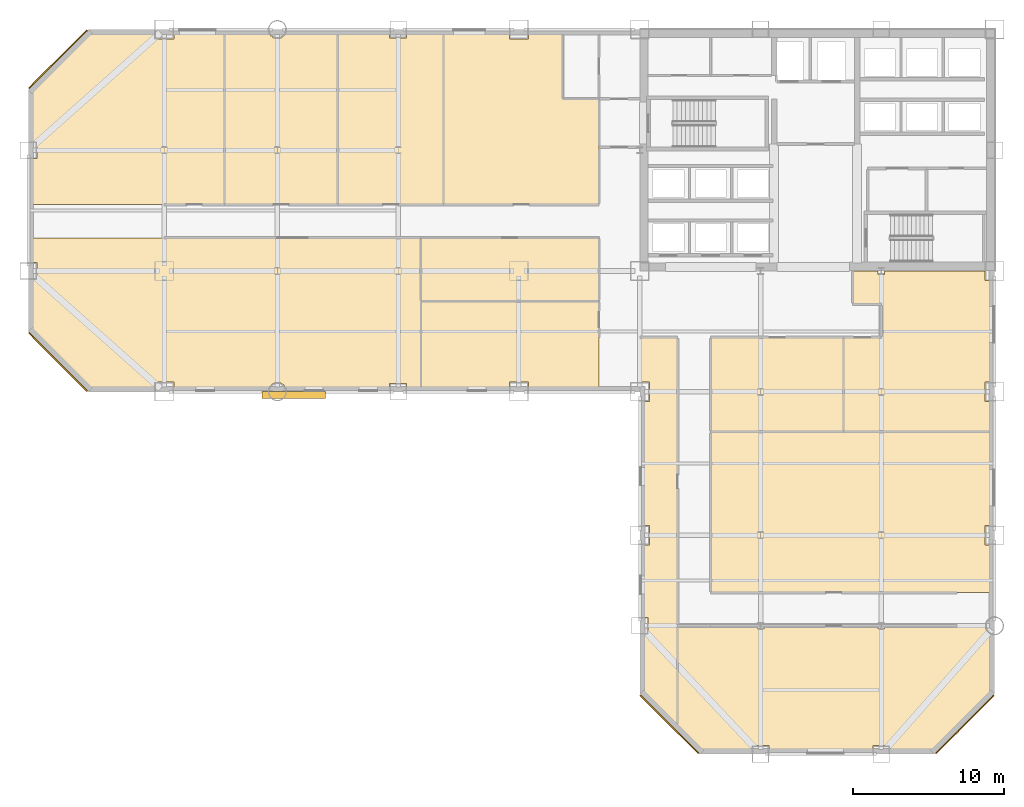
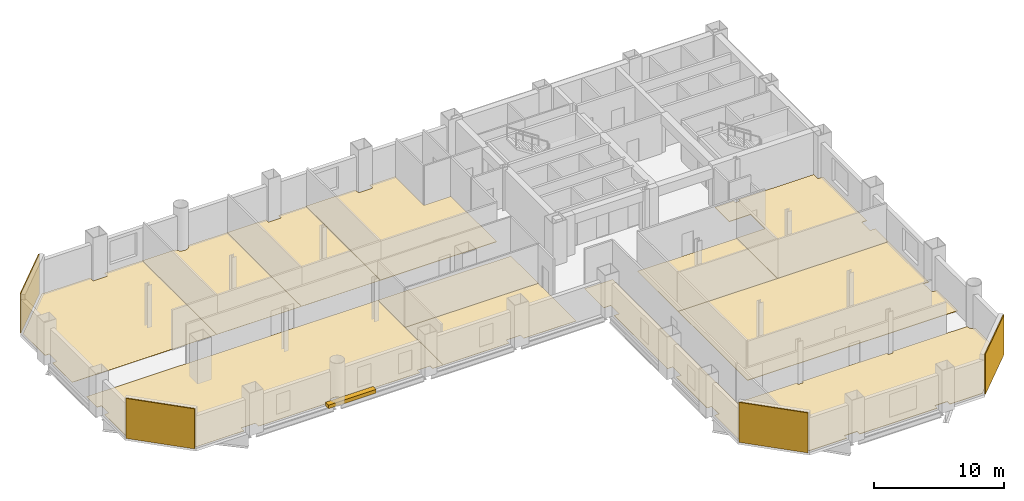
# One storey, part 8 of 9: 16 coverings, 1 shading device.
"""IFC4 building model written with IfcOpenShell, lengths in metres."""

from ifc_helpers import new_model, si_unit, direction, frame, origin, origin_2d, place, context, subcontext, project, spatial, polyline, rectangle, outline, extrude, material, layer, layer_set, type_object, element, save


model = new_model("IFC4")

# Units and contexts
model_context = context("Model", 3, precision=1e-05, world=origin(), true_north=direction((0.0, 1.0)))
body_context = subcontext(model_context, "Body", "Model", "MODEL_VIEW")
ifc_project = project(units=[si_unit("LENGTHUNIT", "METRE"), si_unit("AREAUNIT", "SQUARE_METRE"), si_unit("VOLUMEUNIT", "CUBIC_METRE"), si_unit("PLANEANGLEUNIT", "RADIAN"), si_unit("MASSUNIT", "GRAM", prefix="KILO")], contexts=[model_context])

# Site, building, storey
site_placement = place(None, origin())
site = spatial("IfcSite", under=ifc_project, at=site_placement, CompositionType="ELEMENT")
building_placement = place(site_placement, origin())
building = spatial("IfcBuilding", under=site, at=building_placement, Name="Qianrong Seaharbour Tower", CompositionType="ELEMENT")
storey_placement = place(building_placement, frame((0.0, 0.0, 84.199951171875)))
storey = spatial("IfcBuildingStorey", under=building, at=storey_placement, Name="L20", CompositionType="ELEMENT", Elevation=84.199951171875)

# Coverings
ifc_material_1 = material(Name="Unitised red brick cladding on Precast concrete C45/55", Category="masonry")
ifc_layer_1 = layer(ifc_material_1, 0.080078125)
ifc_layer_set_1 = layer_set([ifc_layer_1], Name="Unitised red brick cladding on Precast concrete C45/55")
covering_type_1 = type_object("IfcCoveringType", Name="COV-CLAD-RED-BRICK-80", PredefinedType="CLADDING", material=ifc_layer_set_1)
for number, where, z_axis, x_axis, name in (
    (1, (1.9716796875, 29.9716796875, 0.0), (0.0, 0.0, 1.0), (-0.707106781187, 0.707106781187, 0.0), "L20 Chamfer Corner Brick Cladding 02"),
    (2, (1.9716796875, 50.0283203125, 0.0), (0.0, 0.0, 1.0), (0.707106781187, 0.707106781187, 0.0), "L20 Chamfer Corner Brick Cladding 04"),
    (3, (62.0283203125, 5.9716796875, 0.0), (0.0, 0.0, 1.0), (-0.707106781187, -0.707106781187, 0.0), "L20 Chamfer Corner Brick Cladding 07"),
    (4, (42.4716796875, 5.9716796875, 0.0), (0.0, 0.0, 1.0), (-0.707106781187, 0.707106781187, 0.0), "L20 Chamfer Corner Brick Cladding 09"),
):
    element("IfcCovering", number, at=place(storey_placement, frame(where, z_axis=z_axis, x_axis=x_axis)), inside=storey, type_object=covering_type_1, Name=name, PredefinedType="CLADDING", context=body_context, shape_type="SweptSolid", body=[
        extrude(rectangle(XDim=5.456787109375, YDim=0.080078125, at=origin_2d()), origin(), (0.0, 0.0, 1.0), 3.75),
    ])
ifc_material_2 = material(Name="Acoustic modular carpet tile flooring")
ifc_layer_2 = layer(ifc_material_2, 0.02001953125)
ifc_layer_set_2 = layer_set([ifc_layer_2], Name="Acoustic modular carpet tile flooring")
covering_type_2 = type_object("IfcCoveringType", Name="COV-FLOOR-CARPET-20", PredefinedType="FLOORING", material=ifc_layer_set_2)
covering_1_placement = place(storey_placement, origin())
element("IfcCovering", 5, at=covering_1_placement, inside=storey, type_object=covering_type_2, Name="L20 Wellness Room 1 Finish Flooring", PredefinedType="FLOORING", context=body_context, shape_type="SweptSolid", body=[
    extrude(outline(polyline([(54.0, 31.60009765625), (54.0, 25.35009765625), (45.199951171875, 25.35009765625), (45.199951171875, 31.60009765625), (54.0, 31.60009765625)])), origin(), (0.0, 0.0, 1.0), 0.02001953125),
])
covering_2_placement = place(storey_placement, origin())
element("IfcCovering", 6, at=covering_2_placement, inside=storey, type_object=covering_type_2, Name="L20 Occupational Health Clinic 1 Finish Flooring", PredefinedType="FLOORING", context=body_context, shape_type="SweptSolid", body=[
    extrude(outline(polyline([(0.175048828125, 43.43994140625), (0.56005859375, 43.43994140625), (0.56005859375, 44.56005859375), (0.175048828125, 44.56005859375), (0.175048828125, 47.927490234375), (4.072509765625, 51.824951171875), (8.364990234375, 51.824951171875), (8.364990234375, 51.364990234375), (9.635009765625, 51.364990234375), (9.635009765625, 51.824951171875), (13.0, 51.824951171875), (13.0, 40.39990234375), (0.175048828125, 40.39990234375), (0.175048828125, 43.43994140625)])), origin(), (0.0, 0.0, 1.0), 0.02001953125),
])
covering_3_placement = place(storey_placement, origin())
element("IfcCovering", 7, at=covering_3_placement, inside=storey, type_object=covering_type_2, Name="L20 Physiotherapy Room 2 Finish Flooring", PredefinedType="FLOORING", context=body_context, shape_type="SweptSolid", body=[
    extrude(outline(polyline([(13.0, 51.824951171875), (15.918701171875, 51.824951171875), (15.936279296875, 51.7666015625), (15.992919921875, 51.6611328125), (16.068603515625, 51.568603515625), (16.1611328125, 51.492919921875), (16.2666015625, 51.436279296875), (16.381103515625, 51.401611328125), (16.5, 51.389892578125), (16.618896484375, 51.401611328125), (16.7333984375, 51.436279296875), (16.8388671875, 51.492919921875), (16.931396484375, 51.568603515625), (17.007080078125, 51.6611328125), (17.063720703125, 51.7666015625), (17.081298828125, 51.824951171875), (20.5, 51.824951171875), (20.5, 40.39990234375), (13.0, 40.39990234375), (13.0, 51.824951171875)])), origin(), (0.0, 0.0, 1.0), 0.02001953125),
])
covering_4_placement = place(storey_placement, origin())
element("IfcCovering", 8, at=covering_4_placement, inside=storey, type_object=covering_type_2, Name="L20 First Aid Nursing Room 3 Finish Flooring", PredefinedType="FLOORING", context=body_context, shape_type="SweptSolid", body=[
    extrude(outline(polyline([(20.5, 51.824951171875), (23.93994140625, 51.824951171875), (23.93994140625, 51.43994140625), (25.06005859375, 51.43994140625), (25.06005859375, 51.824951171875), (27.5, 51.824951171875), (27.5, 40.39990234375), (20.5, 40.39990234375), (20.5, 51.824951171875)])), origin(), (0.0, 0.0, 1.0), 0.02001953125),
])
covering_5_placement = place(storey_placement, origin())
element("IfcCovering", 9, at=covering_5_placement, inside=storey, type_object=covering_type_2, Name="L20 Wellness Exercise Hall Finish Flooring", PredefinedType="FLOORING", context=body_context, shape_type="SweptSolid", body=[
    extrude(outline(polyline([(25.06005859375, 28.175048828125), (25.06005859375, 28.56005859375), (23.93994140625, 28.56005859375), (23.93994140625, 28.175048828125), (17.081298828125, 28.175048828125), (17.063720703125, 28.2333984375), (17.007080078125, 28.3388671875), (16.931396484375, 28.431396484375), (16.8388671875, 28.507080078125), (16.7333984375, 28.563720703125), (16.618896484375, 28.598388671875), (16.5, 28.610107421875), (16.381103515625, 28.598388671875), (16.2666015625, 28.563720703125), (16.1611328125, 28.507080078125), (16.068603515625, 28.431396484375), (15.992919921875, 28.3388671875), (15.936279296875, 28.2333984375), (15.918701171875, 28.175048828125), (9.635009765625, 28.175048828125), (9.635009765625, 28.635009765625), (8.364990234375, 28.635009765625), (8.364990234375, 28.175048828125), (4.072509765625, 28.175048828125), (0.175048828125, 32.072509765625), (0.175048828125, 35.43994140625), (0.56005859375, 35.43994140625), (0.56005859375, 36.56005859375), (0.175048828125, 36.56005859375), (0.175048828125, 38.199951171875), (26.0, 38.199951171875), (26.0, 28.175048828125), (25.06005859375, 28.175048828125)])), origin(), (0.0, 0.0, 1.0), 0.02001953125),
])
covering_6_placement = place(storey_placement, origin())
element("IfcCovering", 10, at=covering_6_placement, inside=storey, type_object=covering_type_2, Name="L20 Medical Examination Room 1 Finish Flooring", PredefinedType="FLOORING", context=body_context, shape_type="SweptSolid", body=[
    extrude(outline(polyline([(37.800048828125, 28.175048828125), (33.135009765625, 28.175048828125), (33.135009765625, 28.635009765625), (31.864990234375, 28.635009765625), (31.864990234375, 28.175048828125), (26.0, 28.175048828125), (26.0, 34.0), (37.800048828125, 34.0), (37.800048828125, 28.175048828125)])), origin(), (0.0, 0.0, 1.0), 0.02001953125),
])
covering_7_placement = place(storey_placement, origin())
element("IfcCovering", 11, at=covering_7_placement, inside=storey, type_object=covering_type_2, Name="L20 Wet Pantry 2 Finish Flooring", PredefinedType="FLOORING", context=body_context, shape_type="SweptSolid", body=[
    extrude(outline(polyline([(37.800048828125, 38.199951171875), (37.800048828125, 34.0), (26.0, 34.0), (26.0, 38.199951171875), (37.800048828125, 38.199951171875)])), origin(), (0.0, 0.0, 1.0), 0.02001953125),
])
covering_8_placement = place(storey_placement, origin())
element("IfcCovering", 12, at=covering_8_placement, inside=storey, type_object=covering_type_2, Name="L20 Clinical Dispensary Store Finish Flooring", PredefinedType="FLOORING", context=body_context, shape_type="SweptSolid", body=[
    extrude(outline(polyline([(43.0, 5.74755859375), (40.675048828125, 8.072509765625), (40.675048828125, 11.93994140625), (41.06005859375, 11.93994140625), (41.06005859375, 13.06005859375), (40.675048828125, 13.06005859375), (40.675048828125, 17.864990234375), (41.135009765625, 17.864990234375), (41.135009765625, 19.135009765625), (40.675048828125, 19.135009765625), (40.675048828125, 27.364990234375), (41.135009765625, 27.364990234375), (41.135009765625, 28.635009765625), (40.5, 28.635009765625), (40.5, 31.60009765625), (43.0, 31.60009765625), (43.0, 5.74755859375)])), origin(), (0.0, 0.0, 1.0), 0.02001953125),
])
ifc_material_3 = material(Name="Calcium-sulphate raised access floor tile")
ifc_layer_3 = layer(ifc_material_3, 0.044921875)
ifc_layer_set_3 = layer_set([ifc_layer_3], Name="Calcium-sulphate raised access floor tile")
covering_type_3 = type_object("IfcCoveringType", Name="COV-FLOOR-RAISED-45", PredefinedType="FLOORING", material=ifc_layer_set_3)
covering_9_placement = place(storey_placement, origin())
element("IfcCovering", 13, at=covering_9_placement, inside=storey, type_object=covering_type_3, Name="L20 South Tip Open-Plan Office Finish Flooring", PredefinedType="FLOORING", context=body_context, shape_type="SweptSolid", body=[
    extrude(outline(polyline([(63.824951171875, 8.072509765625), (59.927490234375, 4.175048828125), (57.06005859375, 4.175048828125), (57.06005859375, 4.56005859375), (55.93994140625, 4.56005859375), (55.93994140625, 4.175048828125), (49.06005859375, 4.175048828125), (49.06005859375, 4.56005859375), (47.93994140625, 4.56005859375), (47.93994140625, 4.175048828125), (44.572509765625, 4.175048828125), (43.0, 5.74755859375), (43.0, 12.5), (48.28662109375, 12.5), (48.28662109375, 12.27587890625), (48.71337890625, 12.27587890625), (48.71337890625, 12.5), (56.28662109375, 12.5), (56.28662109375, 12.27587890625), (56.71337890625, 12.27587890625), (56.71337890625, 12.5), (63.389892578125, 12.5), (63.401611328125, 12.381103515625), (63.436279296875, 12.2666015625), (63.492919921875, 12.1611328125), (63.568603515625, 12.068603515625), (63.6611328125, 11.992919921875), (63.7666015625, 11.936279296875), (63.824951171875, 11.918701171875), (63.824951171875, 8.072509765625)])), origin(), (0.0, 0.0, 1.0), 0.045166015625),
])
covering_10_placement = place(storey_placement, origin())
element("IfcCovering", 14, at=covering_10_placement, inside=storey, type_object=covering_type_3, Name="L20 Operations Open-Plan Office Finish Flooring", PredefinedType="FLOORING", context=body_context, shape_type="SweptSolid", body=[
    extrude(outline(polyline([(63.824951171875, 25.35009765625), (63.824951171875, 19.135009765625), (63.364990234375, 19.135009765625), (63.364990234375, 17.864990234375), (63.824951171875, 17.864990234375), (63.824951171875, 14.699951171875), (45.199951171875, 14.699951171875), (45.199951171875, 25.35009765625), (63.824951171875, 25.35009765625)])), origin(), (0.0, 0.0, 1.0), 0.045166015625),
])
covering_11_placement = place(storey_placement, origin())
element("IfcCovering", 15, at=covering_11_placement, inside=storey, type_object=covering_type_3, Name="L20 Health Director Office 2 Finish Flooring", PredefinedType="FLOORING", context=body_context, shape_type="SweptSolid", body=[
    extrude(outline(polyline([(56.5, 31.60009765625), (56.5, 33.800048828125), (54.60009765625, 33.800048828125), (54.60009765625, 36.0), (56.28662109375, 36.0), (56.28662109375, 35.77587890625), (56.71337890625, 35.77587890625), (56.71337890625, 36.0), (63.364990234375, 36.0), (63.364990234375, 35.364990234375), (63.824951171875, 35.364990234375), (63.824951171875, 28.635009765625), (63.364990234375, 28.635009765625), (63.364990234375, 27.364990234375), (63.824951171875, 27.364990234375), (63.824951171875, 25.35009765625), (54.0, 25.35009765625), (54.0, 31.60009765625), (56.5, 31.60009765625)])), origin(), (0.0, 0.0, 1.0), 0.045166015625),
])
covering_12_placement = place(storey_placement, origin())
element("IfcCovering", 16, at=covering_12_placement, inside=storey, type_object=covering_type_3, Name="L20 Case Coordinator Office 4 Finish Flooring", PredefinedType="FLOORING", context=body_context, shape_type="SweptSolid", body=[
    extrude(outline(polyline([(27.5, 51.824951171875), (31.864990234375, 51.824951171875), (31.864990234375, 51.364990234375), (33.135009765625, 51.364990234375), (33.135009765625, 51.824951171875), (35.39990234375, 51.824951171875), (35.39990234375, 47.39990234375), (37.800048828125, 47.39990234375), (37.800048828125, 40.39990234375), (27.5, 40.39990234375), (27.5, 51.824951171875)])), origin(), (0.0, 0.0, 1.0), 0.045166015625),
])

# Shading device
ifc_material_4 = material(Name="White architectural precast concrete C45/55", Category="concrete")
shading_device_type = type_object("IfcShadingDeviceType", Name="SHD-SUNSHADE-WHITE-320", PredefinedType="AWNING", material=ifc_material_4)
shading_device_placement = place(storey_placement, frame((17.58740234375, 27.780029296875, -0.02001953125), z_axis=(0.0, 0.0, 1.0), x_axis=(1.0, 0.0, 0.0)))
element("IfcShadingDevice", 17, at=shading_device_placement, inside=storey, type_object=shading_device_type, Name="L20 Climbing White Precast Ribbon Canopy Fin", PredefinedType="AWNING", context=body_context, shape_type="SweptSolid", body=[
    extrude(rectangle(XDim=4.199951171875, YDim=0.4599609375, at=origin_2d()), origin(), (0.0, 0.0, 1.0), 0.340087890625),
])

save(model, "model.ifc")
